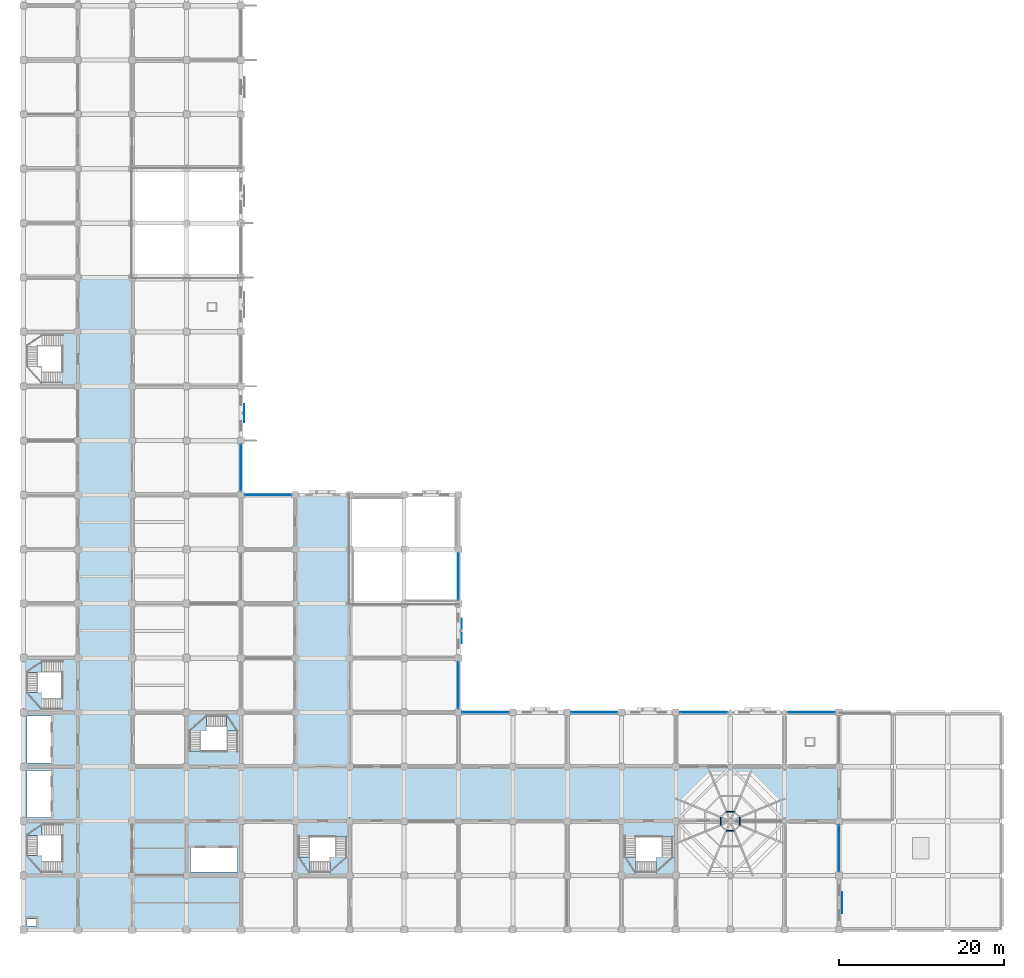
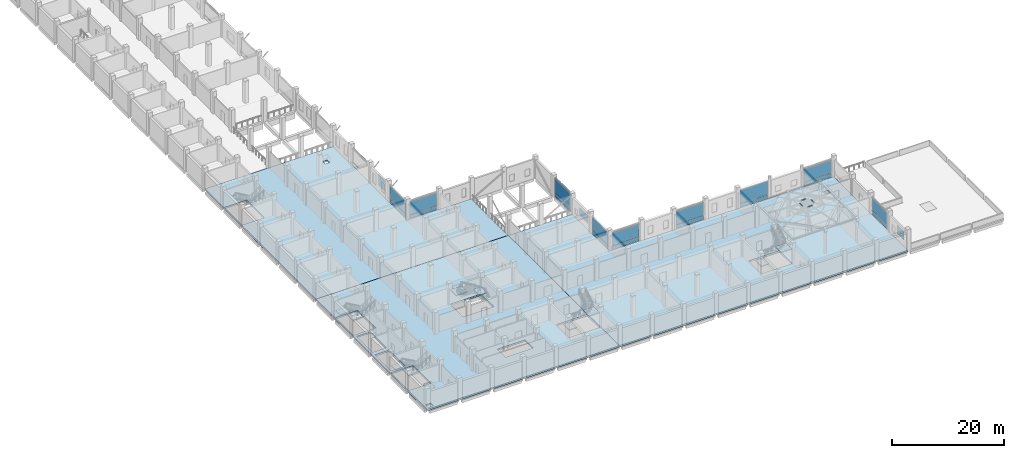
# One storey, part 15 of 34: 21 plates, 13 slabs, 4 members, 14 elements without a shape of their own.
"""IFC4 building model written with IfcOpenShell, lengths in metres."""

from ifc_helpers import new_model, si_unit, direction, frame, origin, origin_2d, place, context, subcontext, project, spatial, polyline, rectangle, hollow_rectangle, outline, extrude, material, layer, layer_set, material_profile, profile_set, type_object, element, aggregate, save


model = new_model("IFC4")

# Units and contexts
model_context = context("Model", 3, precision=1e-05, world=origin(), true_north=direction((0.0, 1.0)))
body_context = subcontext(model_context, "Body", "Model", "MODEL_VIEW")
ifc_project = project(units=[si_unit("LENGTHUNIT", "METRE"), si_unit("AREAUNIT", "SQUARE_METRE"), si_unit("VOLUMEUNIT", "CUBIC_METRE"), si_unit("PLANEANGLEUNIT", "RADIAN"), si_unit("MASSUNIT", "GRAM", prefix="KILO")], contexts=[model_context])

# Site, building, storey
site_placement = place(None, origin())
site = spatial("IfcSite", under=ifc_project, at=site_placement, CompositionType="ELEMENT")
building_placement = place(site_placement, origin())
building = spatial("IfcBuilding", under=site, at=building_placement, Name="Rusizi Kubbe Research Institute", CompositionType="ELEMENT")
storey_placement = place(building_placement, frame((0.0, 0.0, 5.39990234375)))
storey = spatial("IfcBuildingStorey", under=building, at=storey_placement, Name="L01", CompositionType="ELEMENT", Elevation=5.39990234375)

# Members
ifc_material_1 = material(Name="Steel S355", Category="steel")
ifc_material_profile = material_profile(ifc_material_1, hollow_rectangle(XDim=0.10009765625, YDim=0.179931640625, WallThickness=0.008056640625, at=origin_2d()), Name="RHS 180x100x8.0")
ifc_profile_set = profile_set([ifc_material_profile], Name="Steel S355")
member_type = type_object("IfcMemberType", Name="MB-RHS180", PredefinedType="PURLIN", material=ifc_profile_set)
for number, where, z_axis, x_axis, name in (
    (1, (86.2783203125, 14.354736328125, 6.900146484375), (-1.0, 0.0, 0.0), (0.0, -1.0, 0.0), "Kubbe Dome Hoop Purlin Top DOME-EPO-2"),
    (2, (84.645263671875, 13.678466796875, 6.900146484375), (0.0, -1.0, 0.0), (1.0, 0.0, 0.0), "Kubbe Dome Hoop Purlin Top DOME-EPO-4"),
    (3, (85.321533203125, 12.045166015625, 6.900146484375), (1.0, 0.0, 0.0), (0.0, 1.0, 0.0), "Kubbe Dome Hoop Purlin Top DOME-EPO-6"),
    (4, (86.954833984375, 12.7216796875, 6.900146484375), (0.0, 1.0, 0.0), (-1.0, 0.0, 0.0), "Kubbe Dome Hoop Purlin Top DOME-EPO-8"),
):
    element("IfcMember", number, at=place(storey_placement, frame(where, z_axis=z_axis, x_axis=x_axis)), inside=storey, type_object=member_type, Name=name, PredefinedType="PURLIN", context=body_context, shape_type="SweptSolid", body=[
        extrude(hollow_rectangle(XDim=0.10009765625, YDim=0.179931640625, WallThickness=0.008056640625, at=origin_2d()), origin(), (0.0, 0.0, 1.0), 0.956787109375),
    ])

# Curtain wall, plate
ifc_material_2 = material(Name="Thermally Broken Aluminium and Low-E Glazing", Category="aluminium")
curtain_wall_type_1 = type_object("IfcCurtainWallType", Name="CW-18", PredefinedType="NOTDEFINED", material=ifc_material_2)
curtain_wall_1_placement = place(storey_placement, origin())
curtain_wall_1 = element("IfcCurtainWall", 5, at=curtain_wall_1_placement, inside=storey, type_object=curtain_wall_type_1, Name="Unitised Facade Curtain Wall CW-L01-V-15-01", PredefinedType="NOTDEFINED")
ifc_material_3 = material(Name="Double Low-E Solar Control Insulated Glass", Category="glass")
ifc_layer_1 = layer(ifc_material_3, 0.02392578125)
ifc_layer_set_1 = layer_set([ifc_layer_1], Name="Double Low-E Solar Control Insulated Glass")
plate_type_1 = type_object("IfcPlateType", Name="GL-01", PredefinedType="CURTAIN_PANEL", material=ifc_layer_set_1)
plate_1_placement = place(storey_placement, frame((99.0, 9.89990234375, 0.93017578125), z_axis=(0.0, 0.0, 1.0), x_axis=(0.0, 1.0, 0.0)))
plate_1 = element("IfcPlate", 6, at=plate_1_placement, type_object=plate_type_1, Name="CW-18 panel 1.2", PredefinedType="CURTAIN_PANEL", context=body_context, shape_type="SweptSolid", body=[
    extrude(rectangle(XDim=5.590087890625, YDim=0.02392578125, at=origin_2d()), origin(), (0.0, 0.0, 1.0), 2.860107421875),
])

curtain_wall_2_placement = place(storey_placement, origin())
curtain_wall_2 = element("IfcCurtainWall", 7, at=curtain_wall_2_placement, inside=storey, type_object=curtain_wall_type_1, Name="Unitised Facade Curtain Wall CW-L01-H-14-04", PredefinedType="NOTDEFINED")
ifc_material_4 = material(Name="Double Low-E Solar Control Insulated Glass", Category="glass")
ifc_layer_2 = layer(ifc_material_4, 0.028076171875)
ifc_layer_set_2 = layer_set([ifc_layer_2], Name="Double Low-E Solar Control Insulated Glass")
plate_type_2 = type_object("IfcPlateType", Name="GL-02", PredefinedType="CURTAIN_PANEL", material=ifc_layer_set_2)
plate_2_placement = place(storey_placement, frame((95.64990234375, 26.39990234375, 0.93017578125), z_axis=(0.0, 0.0, 1.0), x_axis=(1.0, 0.0, 0.0)))
plate_2 = element("IfcPlate", 8, at=plate_2_placement, type_object=plate_type_2, Name="CW-18 panel 1.2", PredefinedType="CURTAIN_PANEL", context=body_context, shape_type="SweptSolid", body=[
    extrude(rectangle(XDim=5.679931640625, YDim=0.028076171875, at=origin_2d()), origin(), (0.0, 0.0, 1.0), 2.860107421875),
])

ifc_material_5 = material(Name="Thermally Broken Aluminium and Low-E Glazing", Category="aluminium")
curtain_wall_type_2 = type_object("IfcCurtainWallType", Name="CW-17", PredefinedType="NOTDEFINED", material=ifc_material_5)
curtain_wall_3_placement = place(storey_placement, origin())
curtain_wall_3 = element("IfcCurtainWall", 9, at=curtain_wall_3_placement, inside=storey, type_object=curtain_wall_type_2, Name="Unitised Facade Curtain Wall CW-L01-H-04-08", PredefinedType="NOTDEFINED")
ifc_material_6 = material(Name="Double Low-E Solar Control Insulated Glass", Category="glass")
ifc_layer_3 = layer(ifc_material_6, 0.031982421875)
ifc_layer_set_3 = layer_set([ifc_layer_3], Name="Double Low-E Solar Control Insulated Glass")
plate_type_3 = type_object("IfcPlateType", Name="GL-03", PredefinedType="CURTAIN_PANEL", material=ifc_layer_set_3)
plate_3_placement = place(storey_placement, frame((29.699951171875, 52.800048828125, 0.9326171875), z_axis=(0.0, 0.0, 1.0), x_axis=(1.0, 0.0, 0.0)))
plate_3 = element("IfcPlate", 10, at=plate_3_placement, type_object=plate_type_3, Name="CW-17 panel 1.2", PredefinedType="CURTAIN_PANEL", context=body_context, shape_type="SweptSolid", body=[
    extrude(rectangle(XDim=5.590087890625, YDim=0.031982421875, at=origin_2d()), origin(), (0.0, 0.0, 1.0), 2.8525390625),
])

curtain_wall_4_placement = place(storey_placement, origin())
curtain_wall_4 = element("IfcCurtainWall", 11, at=curtain_wall_4_placement, inside=storey, type_object=curtain_wall_type_2, Name="Unitised Facade Curtain Wall CW-L01-V-04-08", PredefinedType="NOTDEFINED")
ifc_material_7 = material(Name="Double Low-E Solar Control Insulated Glass", Category="glass")
ifc_layer_4 = layer(ifc_material_7, 0.035888671875)
ifc_layer_set_4 = layer_set([ifc_layer_4], Name="Double Low-E Solar Control Insulated Glass")
plate_type_4 = type_object("IfcPlateType", Name="GL-04", PredefinedType="CURTAIN_PANEL", material=ifc_layer_set_4)
plate_4_placement = place(storey_placement, frame((26.39990234375, 56.10009765625, 0.93505859375), z_axis=(0.0, 0.0, 1.0), x_axis=(0.0, 1.0, 0.0)))
plate_4 = element("IfcPlate", 12, at=plate_4_placement, type_object=plate_type_4, Name="CW-17 panel 1.2", PredefinedType="CURTAIN_PANEL", context=body_context, shape_type="SweptSolid", body=[
    extrude(rectangle(XDim=5.60009765625, YDim=0.035888671875, at=origin_2d()), origin(), (0.0, 0.0, 1.0), 2.844970703125),
])

curtain_wall_5_placement = place(storey_placement, origin())
curtain_wall_5 = element("IfcCurtainWall", 13, at=curtain_wall_5_placement, inside=storey, type_object=curtain_wall_type_2, Name="Unitised Facade Curtain Wall CW-L01-V-08-04", PredefinedType="NOTDEFINED")
plate_5_placement = place(storey_placement, frame((52.800048828125, 29.699951171875, 0.93505859375), z_axis=(0.0, 0.0, 1.0), x_axis=(0.0, 1.0, 0.0)))
plate_5 = element("IfcPlate", 14, at=plate_5_placement, type_object=plate_type_4, Name="CW-17 panel 1.2", PredefinedType="CURTAIN_PANEL", context=body_context, shape_type="SweptSolid", body=[
    extrude(rectangle(XDim=5.580078125, YDim=0.035888671875, at=origin_2d()), origin(), (0.0, 0.0, 1.0), 2.844970703125),
])

curtain_wall_6_placement = place(storey_placement, origin())
curtain_wall_6 = element("IfcCurtainWall", 15, at=curtain_wall_6_placement, inside=storey, type_object=curtain_wall_type_1, Name="Unitised Facade Curtain Wall CW-L01-V-08-06", PredefinedType="NOTDEFINED")
ifc_material_8 = material(Name="Double Low-E Solar Control Insulated Glass", Category="glass")
ifc_layer_5 = layer(ifc_material_8, 0.0400390625)
ifc_layer_set_5 = layer_set([ifc_layer_5], Name="Double Low-E Solar Control Insulated Glass")
plate_type_5 = type_object("IfcPlateType", Name="GL-05", PredefinedType="CURTAIN_PANEL", material=ifc_layer_set_5)
plate_6_placement = place(storey_placement, frame((52.800048828125, 42.89990234375, 0.93017578125), z_axis=(0.0, 0.0, 1.0), x_axis=(0.0, 1.0, 0.0)))
plate_6 = element("IfcPlate", 16, at=plate_6_placement, type_object=plate_type_5, Name="CW-18 panel 1.2", PredefinedType="CURTAIN_PANEL", context=body_context, shape_type="SweptSolid", body=[
    extrude(rectangle(XDim=5.6201171875, YDim=0.0400390625, at=origin_2d()), origin(), (0.0, 0.0, 1.0), 3.2099609375),
])

curtain_wall_7_placement = place(storey_placement, origin())
curtain_wall_7 = element("IfcCurtainWall", 17, at=curtain_wall_7_placement, inside=storey, type_object=curtain_wall_type_1, Name="Unitised Facade Curtain Wall CW-L01-H-08-04", PredefinedType="NOTDEFINED")
ifc_material_9 = material(Name="Double Low-E Solar Control Insulated Glass", Category="glass")
ifc_layer_6 = layer(ifc_material_9, 0.0439453125)
ifc_layer_set_6 = layer_set([ifc_layer_6], Name="Double Low-E Solar Control Insulated Glass")
plate_type_6 = type_object("IfcPlateType", Name="GL-06", PredefinedType="CURTAIN_PANEL", material=ifc_layer_set_6)
plate_7_placement = place(storey_placement, frame((56.10009765625, 26.39990234375, 0.93017578125), z_axis=(0.0, 0.0, 1.0), x_axis=(1.0, 0.0, 0.0)))
plate_7 = element("IfcPlate", 18, at=plate_7_placement, type_object=plate_type_6, Name="CW-18 panel 1.2", PredefinedType="CURTAIN_PANEL", context=body_context, shape_type="SweptSolid", body=[
    extrude(rectangle(XDim=5.6201171875, YDim=0.0439453125, at=origin_2d()), origin(), (0.0, 0.0, 1.0), 2.860107421875),
])

curtain_wall_8_placement = place(storey_placement, origin())
curtain_wall_8 = element("IfcCurtainWall", 19, at=curtain_wall_8_placement, inside=storey, type_object=curtain_wall_type_1, Name="Unitised Facade Curtain Wall CW-L01-H-10-04", PredefinedType="NOTDEFINED")
ifc_material_10 = material(Name="Double Low-E Solar Control Insulated Glass", Category="glass")
ifc_layer_7 = layer(ifc_material_10, 0.048095703125)
ifc_layer_set_7 = layer_set([ifc_layer_7], Name="Double Low-E Solar Control Insulated Glass")
plate_type_7 = type_object("IfcPlateType", Name="GL-07", PredefinedType="CURTAIN_PANEL", material=ifc_layer_set_7)
plate_8_placement = place(storey_placement, frame((69.300048828125, 26.39990234375, 0.9326171875), z_axis=(0.0, 0.0, 1.0), x_axis=(1.0, 0.0, 0.0)))
plate_8 = element("IfcPlate", 20, at=plate_8_placement, type_object=plate_type_7, Name="CW-18 panel 1.2", PredefinedType="CURTAIN_PANEL", context=body_context, shape_type="SweptSolid", body=[
    extrude(rectangle(XDim=5.610107421875, YDim=0.048095703125, at=origin_2d()), origin(), (0.0, 0.0, 1.0), 2.8525390625),
])

curtain_wall_9_placement = place(storey_placement, origin())
curtain_wall_9 = element("IfcCurtainWall", 21, at=curtain_wall_9_placement, inside=storey, type_object=curtain_wall_type_1, Name="Unitised Facade Curtain Wall CW-L01-H-12-04", PredefinedType="NOTDEFINED")
ifc_material_11 = material(Name="Double Low-E Solar Control Insulated Glass", Category="glass")
ifc_layer_8 = layer(ifc_material_11, 0.052001953125)
ifc_layer_set_8 = layer_set([ifc_layer_8], Name="Double Low-E Solar Control Insulated Glass")
plate_type_8 = type_object("IfcPlateType", Name="GL-08", PredefinedType="CURTAIN_PANEL", material=ifc_layer_set_8)
plate_9_placement = place(storey_placement, frame((82.550048828125, 26.39990234375, 0.93505859375), z_axis=(0.0, 0.0, 1.0), x_axis=(1.0, 0.0, 0.0)))
plate_9 = element("IfcPlate", 22, at=plate_9_placement, type_object=plate_type_8, Name="CW-18 panel 1.2", PredefinedType="CURTAIN_PANEL", context=body_context, shape_type="SweptSolid", body=[
    extrude(rectangle(XDim=5.699951171875, YDim=0.052001953125, at=origin_2d()), origin(), (0.0, 0.0, 1.0), 2.844970703125),
])

# Plates
ifc_material_12 = material(Name="Perforated Architectural Bronze Screen", Category="steel")
ifc_layer_9 = layer(ifc_material_12, 0.01611328125)
ifc_layer_set_9 = layer_set([ifc_layer_9], Name="Perforated Architectural Bronze Screen")
plate_type_9 = type_object("IfcPlateType", Name="MS-04", PredefinedType="SHEET", material=ifc_layer_set_9)
plate_10_placement = place(storey_placement, frame((26.8125, 62.699951171875, 0.760009765625), z_axis=(0.0, 0.0, 1.0), x_axis=(0.0, 1.0, 0.0)))
element("IfcPlate", 23, at=plate_10_placement, inside=storey, type_object=plate_type_9, Name="Mashrabiya Perforated Screen MS-04-021", PredefinedType="SHEET", context=body_context, shape_type="SweptSolid", body=[
    extrude(rectangle(XDim=2.199951171875, YDim=0.01611328125, at=origin_2d()), origin(), (0.0, 0.0, 1.0), 2.52001953125),
])
ifc_material_13 = material(Name="Perforated Architectural Bronze Screen", Category="steel")
ifc_layer_10 = layer(ifc_material_13, 0.02392578125)
ifc_layer_set_10 = layer_set([ifc_layer_10], Name="Perforated Architectural Bronze Screen")
plate_type_10 = type_object("IfcPlateType", Name="MS-05", PredefinedType="SHEET", material=ifc_layer_set_10)
plate_11_placement = place(storey_placement, frame((53.21240234375, 36.300048828125, 0.76025390625), z_axis=(0.0, 0.0, 1.0), x_axis=(0.0, 1.0, 0.0)))
element("IfcPlate", 24, at=plate_11_placement, inside=storey, type_object=plate_type_10, Name="Mashrabiya Perforated Screen MS-05-028", PredefinedType="SHEET", context=body_context, shape_type="SweptSolid", body=[
    extrude(rectangle(XDim=3.0, YDim=0.02392578125, at=origin_2d()), origin(), (0.0, 0.0, 1.0), 1.679931640625),
])
ifc_material_14 = material(Name="Perforated Architectural Bronze Screen", Category="steel")
ifc_layer_11 = layer(ifc_material_14, 0.01904296875)
ifc_layer_set_11 = layer_set([ifc_layer_11], Name="Perforated Architectural Bronze Screen")
plate_type_11 = type_object("IfcPlateType", Name="MS-06", PredefinedType="SHEET", material=ifc_layer_set_11)
plate_12_placement = place(storey_placement, frame((99.3974609375, 3.300048828125, 0.76025390625), z_axis=(0.0, 0.0, 1.0), x_axis=(0.0, 1.0, 0.0)))
element("IfcPlate", 25, at=plate_12_placement, inside=storey, type_object=plate_type_11, Name="Mashrabiya Perforated Screen MS-06-029", PredefinedType="SHEET", context=body_context, shape_type="SweptSolid", body=[
    extrude(rectangle(XDim=2.5, YDim=0.01904296875, at=origin_2d()), origin(), (0.0, 0.0, 1.0), 1.89990234375),
])

# Slabs
ifc_material_15 = material(Name="Concrete C40/50", Category="concrete")
ifc_layer_12 = layer(ifc_material_15, 0.35009765625)
ifc_layer_set_12 = layer_set([ifc_layer_12], Name="Concrete C40/50")
slab_type_1 = type_object("IfcSlabType", Name="SL-F350", PredefinedType="FLOOR", material=ifc_layer_set_12)
slab_1_placement = place(storey_placement, frame((0.0, 0.0, -0.349853515625)))
element("IfcSlab", 26, at=slab_1_placement, inside=storey, type_object=slab_type_1, Name="Structural Slab L01 CORE", PredefinedType="FLOOR", context=body_context, shape_type="SweptSolid", body=[
    extrude(outline(polyline([(6.60009765625, 0.0), (0.0, 0.0), (0.0, 6.60009765625), (0.0, 13.199951171875), (0.0, 19.800048828125), (0.0, 26.39990234375), (0.0, 33.0), (0.0, 39.60009765625), (6.60009765625, 39.60009765625), (13.199951171875, 39.60009765625), (19.800048828125, 39.60009765625), (26.39990234375, 39.60009765625), (33.0, 39.60009765625), (39.60009765625, 39.60009765625), (39.60009765625, 33.0), (39.60009765625, 26.39990234375), (39.60009765625, 19.800048828125), (39.60009765625, 13.199951171875), (39.60009765625, 6.60009765625), (39.60009765625, 0.0), (33.0, 0.0), (26.39990234375, 0.0), (19.800048828125, 0.0), (13.199951171875, 0.0), (6.60009765625, 0.0)]), holes=[polyline([(0.449951171875, 1.35009765625), (0.449951171875, 0.449951171875), (1.550048828125, 0.449951171875), (1.550048828125, 1.35009765625), (0.449951171875, 1.35009765625)]), polyline([(0.139892578125, 13.06005859375), (0.139892578125, 6.739990234375), (4.699951171875, 6.739990234375), (4.699951171875, 13.06005859375), (0.139892578125, 13.06005859375)]), polyline([(0.449951171875, 19.35009765625), (0.449951171875, 13.64990234375), (3.35009765625, 13.64990234375), (3.35009765625, 19.35009765625), (0.449951171875, 19.35009765625)]), polyline([(3.35009765625, 25.949951171875), (0.449951171875, 25.949951171875), (0.449951171875, 20.25), (3.35009765625, 20.25), (3.35009765625, 25.949951171875)]), polyline([(4.699951171875, 32.860107421875), (0.139892578125, 32.860107421875), (0.139892578125, 26.5400390625), (4.699951171875, 26.5400390625), (4.699951171875, 32.860107421875)]), polyline([(25.949951171875, 9.949951171875), (20.25, 9.949951171875), (20.25, 7.050048828125), (25.949951171875, 7.050048828125), (25.949951171875, 9.949951171875)]), polyline([(39.4599609375, 11.300048828125), (33.139892578125, 11.300048828125), (33.139892578125, 6.739990234375), (39.4599609375, 6.739990234375), (39.4599609375, 11.300048828125)]), polyline([(26.260009765625, 26.260009765625), (19.93994140625, 26.260009765625), (19.93994140625, 21.699951171875), (26.260009765625, 21.699951171875), (26.260009765625, 26.260009765625)])]), origin(), (0.0, 0.0, 1.0), 0.349853515625),
])
slab_2_placement = place(storey_placement, frame((0.0, 0.0, -0.349853515625)))
element("IfcSlab", 27, at=slab_2_placement, inside=storey, type_object=slab_type_1, Name="Structural Slab L01 NORTHA", PredefinedType="FLOOR", context=body_context, shape_type="SweptSolid", body=[
    extrude(outline(polyline([(0.0, 66.0), (0.0, 72.60009765625), (0.0, 79.199951171875), (6.60009765625, 79.199951171875), (13.199951171875, 79.199951171875), (19.800048828125, 79.199951171875), (26.39990234375, 79.199951171875), (26.39990234375, 72.60009765625), (26.39990234375, 66.0), (26.39990234375, 59.39990234375), (26.39990234375, 52.800048828125), (33.0, 52.800048828125), (39.60009765625, 52.800048828125), (39.60009765625, 46.199951171875), (39.60009765625, 39.60009765625), (33.0, 39.60009765625), (26.39990234375, 39.60009765625), (19.800048828125, 39.60009765625), (13.199951171875, 39.60009765625), (6.60009765625, 39.60009765625), (0.0, 39.60009765625), (0.0, 46.199951171875), (0.0, 52.800048828125), (0.0, 59.39990234375), (0.0, 66.0)]), holes=[polyline([(4.699951171875, 72.4599609375), (0.139892578125, 72.4599609375), (0.139892578125, 66.139892578125), (4.699951171875, 66.139892578125), (4.699951171875, 72.4599609375)]), polyline([(23.35009765625, 76.050048828125), (22.39990234375, 76.050048828125), (22.39990234375, 75.199951171875), (23.35009765625, 75.199951171875), (23.35009765625, 76.050048828125)])]), origin(), (0.0, 0.0, 1.0), 0.349853515625),
])
slab_3_placement = place(storey_placement, frame((0.0, 0.0, -0.349853515625)))
element("IfcSlab", 28, at=slab_3_placement, inside=storey, type_object=slab_type_1, Name="Structural Slab L01 EAST", PredefinedType="FLOOR", context=body_context, shape_type="SweptSolid", body=[
    extrude(outline(polyline([(52.800048828125, 0.0), (46.199951171875, 0.0), (39.60009765625, 0.0), (39.60009765625, 6.60009765625), (39.60009765625, 13.199951171875), (39.60009765625, 19.800048828125), (39.60009765625, 26.39990234375), (39.60009765625, 33.0), (39.60009765625, 39.60009765625), (46.199951171875, 39.60009765625), (52.800048828125, 39.60009765625), (52.800048828125, 33.0), (52.800048828125, 26.39990234375), (59.39990234375, 26.39990234375), (66.0, 26.39990234375), (72.60009765625, 26.39990234375), (79.199951171875, 26.39990234375), (85.800048828125, 26.39990234375), (92.39990234375, 26.39990234375), (99.0, 26.39990234375), (99.0, 19.800048828125), (99.0, 13.199951171875), (99.0, 6.60009765625), (99.0, 0.0), (92.39990234375, 0.0), (85.800048828125, 0.0), (79.199951171875, 0.0), (72.60009765625, 0.0), (66.0, 0.0), (59.39990234375, 0.0), (52.800048828125, 0.0)]), holes=[polyline([(79.06005859375, 11.300048828125), (72.739990234375, 11.300048828125), (72.739990234375, 6.739990234375), (79.06005859375, 6.739990234375), (79.06005859375, 11.300048828125)]), polyline([(95.0, 23.25), (95.0, 22.39990234375), (95.949951171875, 22.39990234375), (95.949951171875, 23.25), (95.0, 23.25)])]), origin(), (0.0, 0.0, 1.0), 0.349853515625),
])

# Stair, slabs
ifc_material_16 = material(Name="Concrete C40/50", Category="concrete")
stair_type = type_object("IfcStairType", Name="ST-H480", PredefinedType="THREE_QUARTER_TURN_STAIR", material=ifc_material_16)
stair_1_placement = place(storey_placement, origin())
stair_1 = element("IfcStair", 29, at=stair_1_placement, inside=storey, type_object=stair_type, Name="Protected Exit Stair ST1 (L01)", PredefinedType="THREE_QUARTER_TURN_STAIR")
ifc_material_17 = material(Name="Concrete C40/50", Category="concrete")
ifc_layer_13 = layer(ifc_material_17, 0.195068359375)
ifc_layer_set_13 = layer_set([ifc_layer_13], Name="Concrete C40/50")
slab_type_2 = type_object("IfcSlabType", Name="SL-L195", PredefinedType="LANDING", material=ifc_layer_set_13)
slab_4_placement = place(storey_placement, frame((0.0, 0.0, 1.405029296875)))
slab_4 = element("IfcSlab", 30, at=slab_4_placement, type_object=slab_type_2, Name="ST1 landing 1", PredefinedType="LANDING", context=body_context, shape_type="SweptSolid", body=[
    extrude(outline(polyline([(2.26611328125, 13.06005859375), (0.139892578125, 13.06005859375), (0.139892578125, 11.449951171875), (2.26611328125, 11.449951171875), (2.26611328125, 13.06005859375)])), origin(), (0.0, 0.0, 1.0), 0.195068359375),
])
slab_5_placement = place(storey_placement, frame((0.0, 0.0, 3.005126953125)))
slab_5 = element("IfcSlab", 31, at=slab_5_placement, type_object=slab_type_2, Name="ST1 landing 2", PredefinedType="LANDING", context=body_context, shape_type="SweptSolid", body=[
    extrude(outline(polyline([(2.26611328125, 9.01611328125), (0.139892578125, 9.01611328125), (0.139892578125, 6.739990234375), (2.26611328125, 6.739990234375), (2.26611328125, 9.01611328125)])), origin(), (0.0, 0.0, 1.0), 0.195068359375),
])
aggregate(stair_1, [slab_4, slab_5])

stair_2_placement = place(storey_placement, origin())
stair_2 = element("IfcStair", 32, at=stair_2_placement, inside=storey, type_object=stair_type, Name="Protected Exit Stair ST2 (L01)", PredefinedType="THREE_QUARTER_TURN_STAIR")
slab_6_placement = place(storey_placement, frame((0.0, 0.0, 1.405029296875)))
slab_6 = element("IfcSlab", 33, at=slab_6_placement, type_object=slab_type_2, Name="ST2 landing 1", PredefinedType="LANDING", context=body_context, shape_type="SweptSolid", body=[
    extrude(outline(polyline([(2.26611328125, 32.860107421875), (0.139892578125, 32.860107421875), (0.139892578125, 31.25), (2.26611328125, 31.25), (2.26611328125, 32.860107421875)])), origin(), (0.0, 0.0, 1.0), 0.195068359375),
])
slab_7_placement = place(storey_placement, frame((0.0, 0.0, 3.005126953125)))
slab_7 = element("IfcSlab", 34, at=slab_7_placement, type_object=slab_type_2, Name="ST2 landing 2", PredefinedType="LANDING", context=body_context, shape_type="SweptSolid", body=[
    extrude(outline(polyline([(2.26611328125, 28.81591796875), (0.139892578125, 28.81591796875), (0.139892578125, 26.5400390625), (2.26611328125, 26.5400390625), (2.26611328125, 28.81591796875)])), origin(), (0.0, 0.0, 1.0), 0.195068359375),
])
aggregate(stair_2, [slab_6, slab_7])

stair_3_placement = place(storey_placement, origin())
stair_3 = element("IfcStair", 35, at=stair_3_placement, inside=storey, type_object=stair_type, Name="Protected Exit Stair ST3 (L01)", PredefinedType="THREE_QUARTER_TURN_STAIR")
slab_8_placement = place(storey_placement, frame((0.0, 0.0, 1.405029296875)))
slab_8 = element("IfcSlab", 36, at=slab_8_placement, type_object=slab_type_2, Name="ST3 landing 1", PredefinedType="LANDING", context=body_context, shape_type="SweptSolid", body=[
    extrude(outline(polyline([(26.260009765625, 24.134033203125), (26.260009765625, 26.260009765625), (24.64990234375, 26.260009765625), (24.64990234375, 24.134033203125), (26.260009765625, 24.134033203125)])), origin(), (0.0, 0.0, 1.0), 0.195068359375),
])
slab_9_placement = place(storey_placement, frame((0.0, 0.0, 3.005126953125)))
slab_9 = element("IfcSlab", 37, at=slab_9_placement, type_object=slab_type_2, Name="ST3 landing 2", PredefinedType="LANDING", context=body_context, shape_type="SweptSolid", body=[
    extrude(outline(polyline([(22.216064453125, 24.134033203125), (22.216064453125, 26.260009765625), (19.93994140625, 26.260009765625), (19.93994140625, 24.134033203125), (22.216064453125, 24.134033203125)])), origin(), (0.0, 0.0, 1.0), 0.195068359375),
])
aggregate(stair_3, [slab_8, slab_9])

stair_4_placement = place(storey_placement, origin())
stair_4 = element("IfcStair", 38, at=stair_4_placement, inside=storey, type_object=stair_type, Name="Protected Exit Stair ST4 (L01)", PredefinedType="THREE_QUARTER_TURN_STAIR")
slab_10_placement = place(storey_placement, frame((0.0, 0.0, 1.405029296875)))
slab_10 = element("IfcSlab", 39, at=slab_10_placement, type_object=slab_type_2, Name="ST4 landing 1", PredefinedType="LANDING", context=body_context, shape_type="SweptSolid", body=[
    extrude(outline(polyline([(33.139892578125, 8.865966796875), (33.139892578125, 6.739990234375), (34.75, 6.739990234375), (34.75, 8.865966796875), (33.139892578125, 8.865966796875)])), origin(), (0.0, 0.0, 1.0), 0.195068359375),
])
slab_11_placement = place(storey_placement, frame((0.0, 0.0, 3.005126953125)))
slab_11 = element("IfcSlab", 40, at=slab_11_placement, type_object=slab_type_2, Name="ST4 landing 2", PredefinedType="LANDING", context=body_context, shape_type="SweptSolid", body=[
    extrude(outline(polyline([(37.18408203125, 8.865966796875), (37.18408203125, 6.739990234375), (39.4599609375, 6.739990234375), (39.4599609375, 8.865966796875), (37.18408203125, 8.865966796875)])), origin(), (0.0, 0.0, 1.0), 0.195068359375),
])
aggregate(stair_4, [slab_10, slab_11])

stair_5_placement = place(storey_placement, origin())
stair_5 = element("IfcStair", 41, at=stair_5_placement, inside=storey, type_object=stair_type, Name="Protected Exit Stair ST7 (L01)", PredefinedType="THREE_QUARTER_TURN_STAIR")
slab_12_placement = place(storey_placement, frame((0.0, 0.0, 1.405029296875)))
slab_12 = element("IfcSlab", 42, at=slab_12_placement, type_object=slab_type_2, Name="ST7 landing 1", PredefinedType="LANDING", context=body_context, shape_type="SweptSolid", body=[
    extrude(outline(polyline([(72.739990234375, 8.865966796875), (72.739990234375, 6.739990234375), (74.35009765625, 6.739990234375), (74.35009765625, 8.865966796875), (72.739990234375, 8.865966796875)])), origin(), (0.0, 0.0, 1.0), 0.195068359375),
])
slab_13_placement = place(storey_placement, frame((0.0, 0.0, 3.005126953125)))
slab_13 = element("IfcSlab", 43, at=slab_13_placement, type_object=slab_type_2, Name="ST7 landing 2", PredefinedType="LANDING", context=body_context, shape_type="SweptSolid", body=[
    extrude(outline(polyline([(76.783935546875, 8.865966796875), (76.783935546875, 6.739990234375), (79.06005859375, 6.739990234375), (79.06005859375, 8.865966796875), (76.783935546875, 8.865966796875)])), origin(), (0.0, 0.0, 1.0), 0.195068359375),
])
aggregate(stair_5, [slab_12, slab_13])

# Plate
ifc_material_18 = material(Name="Ceramic-Frit Insulated Spandrel Panel", Category="glass")
ifc_layer_14 = layer(ifc_material_18, 0.05810546875)
ifc_layer_set_14 = layer_set([ifc_layer_14], Name="Ceramic-Frit Insulated Spandrel Panel")
plate_type_12 = type_object("IfcPlateType", Name="SP-01", PredefinedType="CURTAIN_PANEL", material=ifc_layer_set_14)
plate_13_placement = place(storey_placement, frame((52.800048828125, 42.89990234375, 0.06005859375), z_axis=(0.0, 0.0, 1.0), x_axis=(0.0, 1.0, 0.0)))
plate_13 = element("IfcPlate", 44, at=plate_13_placement, type_object=plate_type_12, Name="CW-18 panel 1.1", PredefinedType="CURTAIN_PANEL", context=body_context, shape_type="SweptSolid", body=[
    extrude(rectangle(XDim=5.6201171875, YDim=0.05810546875, at=origin_2d()), origin(), (0.0, 0.0, 1.0), 0.81005859375),
])

aggregate(curtain_wall_6, [plate_13, plate_6])

plate_14_placement = place(storey_placement, frame((99.0, 9.89990234375, 0.06005859375), z_axis=(0.0, 0.0, 1.0), x_axis=(0.0, 1.0, 0.0)))
plate_14 = element("IfcPlate", 45, at=plate_14_placement, type_object=plate_type_12, Name="CW-18 panel 1.1", PredefinedType="CURTAIN_PANEL", context=body_context, shape_type="SweptSolid", body=[
    extrude(rectangle(XDim=5.590087890625, YDim=0.05810546875, at=origin_2d()), origin(), (0.0, 0.0, 1.0), 0.81005859375),
])

aggregate(curtain_wall_1, [plate_14, plate_1])

ifc_material_19 = material(Name="Ceramic-Frit Insulated Spandrel Panel", Category="glass")
ifc_layer_15 = layer(ifc_material_19, 0.06396484375)
ifc_layer_set_15 = layer_set([ifc_layer_15], Name="Ceramic-Frit Insulated Spandrel Panel")
plate_type_13 = type_object("IfcPlateType", Name="SP-02", PredefinedType="CURTAIN_PANEL", material=ifc_layer_set_15)
plate_15_placement = place(storey_placement, frame((56.10009765625, 26.39990234375, 0.06005859375), z_axis=(0.0, 0.0, 1.0), x_axis=(1.0, 0.0, 0.0)))
plate_15 = element("IfcPlate", 46, at=plate_15_placement, type_object=plate_type_13, Name="CW-18 panel 1.1", PredefinedType="CURTAIN_PANEL", context=body_context, shape_type="SweptSolid", body=[
    extrude(rectangle(XDim=5.6201171875, YDim=0.06396484375, at=origin_2d()), origin(), (0.0, 0.0, 1.0), 0.81005859375),
])

aggregate(curtain_wall_7, [plate_15, plate_7])

plate_16_placement = place(storey_placement, frame((95.64990234375, 26.39990234375, 0.06005859375), z_axis=(0.0, 0.0, 1.0), x_axis=(1.0, 0.0, 0.0)))
plate_16 = element("IfcPlate", 47, at=plate_16_placement, type_object=plate_type_13, Name="CW-18 panel 1.1", PredefinedType="CURTAIN_PANEL", context=body_context, shape_type="SweptSolid", body=[
    extrude(rectangle(XDim=5.679931640625, YDim=0.06396484375, at=origin_2d()), origin(), (0.0, 0.0, 1.0), 0.81005859375),
])

aggregate(curtain_wall_2, [plate_16, plate_2])

ifc_material_20 = material(Name="Ceramic-Frit Insulated Spandrel Panel", Category="glass")
ifc_layer_16 = layer(ifc_material_20, 0.070068359375)
ifc_layer_set_16 = layer_set([ifc_layer_16], Name="Ceramic-Frit Insulated Spandrel Panel")
plate_type_14 = type_object("IfcPlateType", Name="SP-03", PredefinedType="CURTAIN_PANEL", material=ifc_layer_set_16)
plate_17_placement = place(storey_placement, frame((29.699951171875, 52.800048828125, 0.06494140625), z_axis=(0.0, 0.0, 1.0), x_axis=(1.0, 0.0, 0.0)))
plate_17 = element("IfcPlate", 48, at=plate_17_placement, type_object=plate_type_14, Name="CW-17 panel 1.1", PredefinedType="CURTAIN_PANEL", context=body_context, shape_type="SweptSolid", body=[
    extrude(rectangle(XDim=5.590087890625, YDim=0.070068359375, at=origin_2d()), origin(), (0.0, 0.0, 1.0), 0.802490234375),
])

aggregate(curtain_wall_3, [plate_17, plate_3])

plate_18_placement = place(storey_placement, frame((69.300048828125, 26.39990234375, 0.06494140625), z_axis=(0.0, 0.0, 1.0), x_axis=(1.0, 0.0, 0.0)))
plate_18 = element("IfcPlate", 49, at=plate_18_placement, type_object=plate_type_14, Name="CW-18 panel 1.1", PredefinedType="CURTAIN_PANEL", context=body_context, shape_type="SweptSolid", body=[
    extrude(rectangle(XDim=5.610107421875, YDim=0.070068359375, at=origin_2d()), origin(), (0.0, 0.0, 1.0), 0.802490234375),
])

aggregate(curtain_wall_8, [plate_18, plate_8])

ifc_material_21 = material(Name="Ceramic-Frit Insulated Spandrel Panel", Category="glass")
ifc_layer_17 = layer(ifc_material_21, 0.075927734375)
ifc_layer_set_17 = layer_set([ifc_layer_17], Name="Ceramic-Frit Insulated Spandrel Panel")
plate_type_15 = type_object("IfcPlateType", Name="SP-04", PredefinedType="CURTAIN_PANEL", material=ifc_layer_set_17)
plate_19_placement = place(storey_placement, frame((26.39990234375, 56.10009765625, 0.070068359375), z_axis=(0.0, 0.0, 1.0), x_axis=(0.0, 1.0, 0.0)))
plate_19 = element("IfcPlate", 50, at=plate_19_placement, type_object=plate_type_15, Name="CW-17 panel 1.1", PredefinedType="CURTAIN_PANEL", context=body_context, shape_type="SweptSolid", body=[
    extrude(rectangle(XDim=5.60009765625, YDim=0.075927734375, at=origin_2d()), origin(), (0.0, 0.0, 1.0), 0.794921875),
])

aggregate(curtain_wall_4, [plate_19, plate_4])

plate_20_placement = place(storey_placement, frame((52.800048828125, 29.699951171875, 0.070068359375), z_axis=(0.0, 0.0, 1.0), x_axis=(0.0, 1.0, 0.0)))
plate_20 = element("IfcPlate", 51, at=plate_20_placement, type_object=plate_type_15, Name="CW-17 panel 1.1", PredefinedType="CURTAIN_PANEL", context=body_context, shape_type="SweptSolid", body=[
    extrude(rectangle(XDim=5.580078125, YDim=0.075927734375, at=origin_2d()), origin(), (0.0, 0.0, 1.0), 0.794921875),
])

aggregate(curtain_wall_5, [plate_20, plate_5])

plate_21_placement = place(storey_placement, frame((82.550048828125, 26.39990234375, 0.070068359375), z_axis=(0.0, 0.0, 1.0), x_axis=(1.0, 0.0, 0.0)))
plate_21 = element("IfcPlate", 52, at=plate_21_placement, type_object=plate_type_15, Name="CW-18 panel 1.1", PredefinedType="CURTAIN_PANEL", context=body_context, shape_type="SweptSolid", body=[
    extrude(rectangle(XDim=5.699951171875, YDim=0.075927734375, at=origin_2d()), origin(), (0.0, 0.0, 1.0), 0.794921875),
])

aggregate(curtain_wall_9, [plate_21, plate_9])

save(model, "model.ifc")
